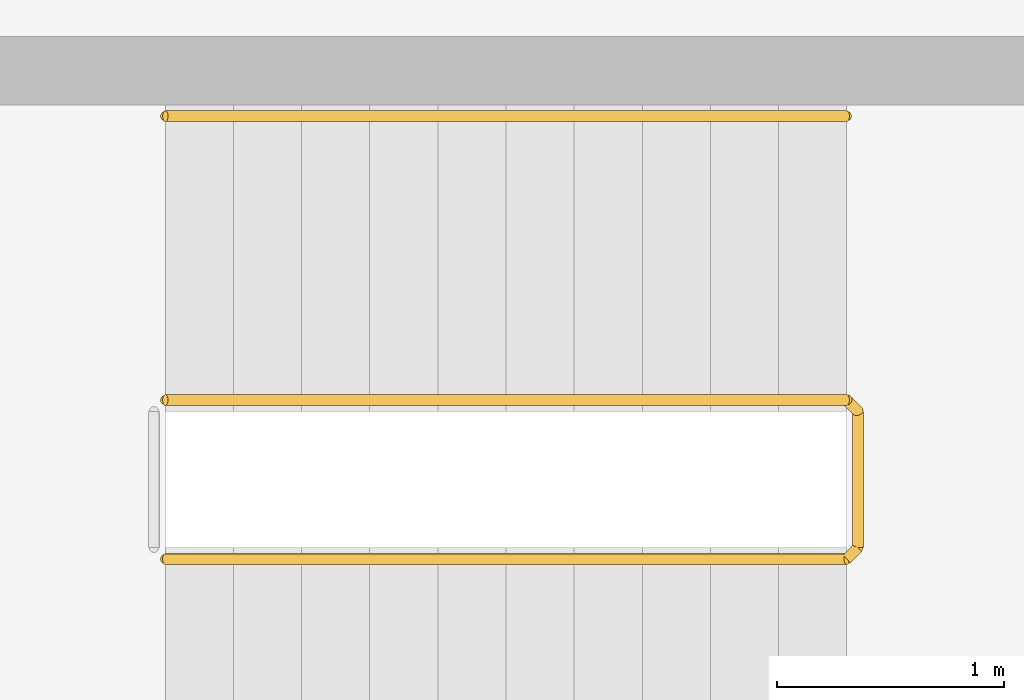
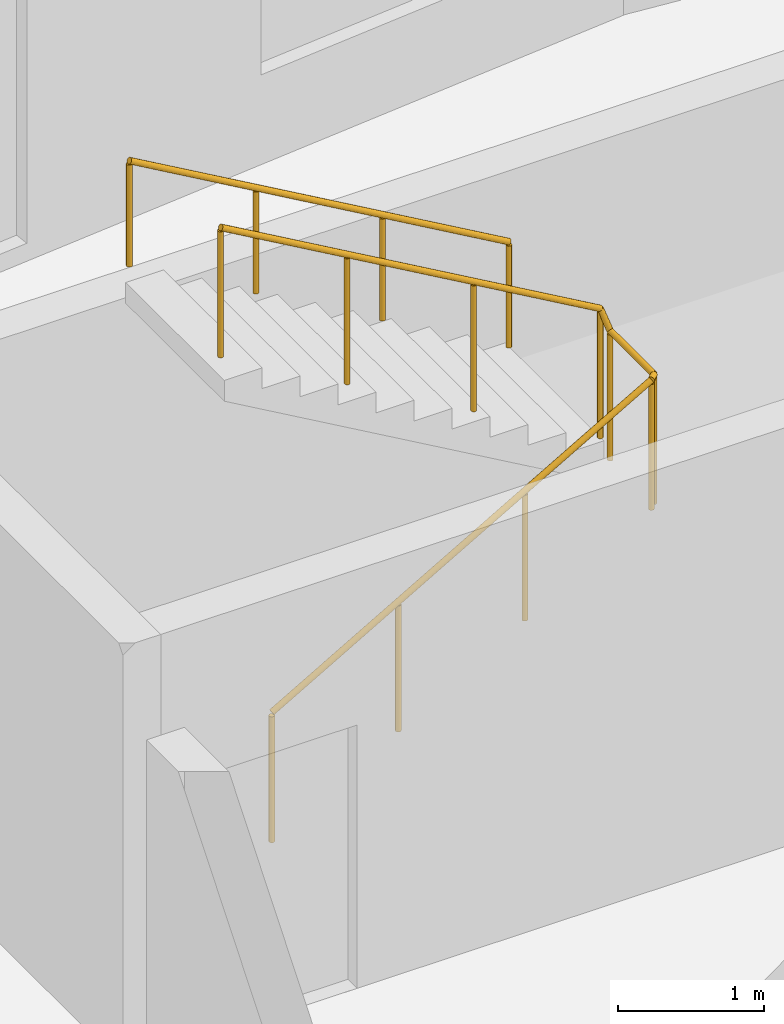
# One storey, part 11 of 11: 2 railings.
"""IFC4 building model written with IfcOpenShell, lengths in metres."""

from ifc_helpers import new_model, si_unit, direction, frame, origin, origin_2d, place, context, subcontext, project, spatial, circle, extrude, material, type_object, element, save


model = new_model("IFC4")

# Units and contexts
model_context = context("Model", 3, precision=1e-05, world=origin(), true_north=direction((0.0, 1.0)))
body_context = subcontext(model_context, "Body", "Model", "MODEL_VIEW")
ifc_project = project(units=[si_unit("LENGTHUNIT", "METRE"), si_unit("AREAUNIT", "SQUARE_METRE"), si_unit("VOLUMEUNIT", "CUBIC_METRE"), si_unit("PLANEANGLEUNIT", "RADIAN"), si_unit("MASSUNIT", "GRAM", prefix="KILO")], contexts=[model_context])

# Site, building, storey
site_placement = place(None, origin())
site = spatial("IfcSite", under=ifc_project, at=site_placement, CompositionType="ELEMENT")
building_placement = place(site_placement, origin())
building = spatial("IfcBuilding", under=site, at=building_placement, Name="Brondeck Convention Tower", CompositionType="ELEMENT")
storey_placement = place(building_placement, frame((0.0, 0.0, 111.300048828125)))
storey = spatial("IfcBuildingStorey", under=building, at=storey_placement, Name="L26", CompositionType="ELEMENT", Elevation=111.300048828125)

# Railings
ifc_material = material(Name="Steel S355", Category="steel")
railing_type_1 = type_object("IfcRailingType", Name="Stair guard 1100", PredefinedType="GUARDRAIL", material=ifc_material)
railing_1_placement = place(storey_placement, frame((37.85009765625, 55.449951171875, 0.172607421875)))
element("IfcRailing", 1, at=railing_1_placement, inside=storey, type_object=railing_type_1, Name="L26 ST-AE stair guard 1", PredefinedType="GUARDRAIL", context=body_context, shape_type="SweptSolid", body=[
    extrude(circle(Radius=0.02392578125, at=origin_2d()), frame((0.0, 0.0, 1.076171875), z_axis=(0.866619684472, 0.0, 0.498969260062), x_axis=(0.0, 1.0, 0.0)), (0.0, 0.0, 1.0), 3.461669921875),
    extrude(circle(Radius=0.02392578125, at=origin_2d()), frame((3.0, 0.0, 2.80322265625), z_axis=(0.705375805398, 0.708833529934, 0.0), x_axis=(-0.708833529934, 0.705375805398, 0.0)), (0.0, 0.0, 1.0), 0.070556640625),
    extrude(circle(Radius=0.02392578125, at=origin_2d()), frame((3.0498046875, 0.050048828125, 2.80322265625), z_axis=(0.0, 1.0, 0.0), x_axis=(-1.0, 0.0, 0.0)), (0.0, 0.0, 1.0), 0.60009765625),
    extrude(circle(Radius=0.02392578125, at=origin_2d()), frame((3.0498046875, 0.650146484375, 2.80322265625), z_axis=(-0.266832911964, 0.266832911964, 0.926067165051), x_axis=(-0.707106781187, -0.707106781187, 0.0)), (0.0, 0.0, 1.0), 0.186767578125),
    extrude(circle(Radius=0.02392578125, at=origin_2d()), frame((3.0, 0.699951171875, 2.97607421875), z_axis=(-0.866619684472, 0.0, 0.498969260062), x_axis=(0.0, -1.0, 0.0)), (0.0, 0.0, 1.0), 3.461669921875),
    extrude(circle(Radius=0.02099609375, at=origin_2d()), origin(), (0.0, 0.0, 1.0), 1.052001953125),
    extrude(circle(Radius=0.02099609375, at=origin_2d()), frame((1.0, 0.0, 0.57568359375)), (0.0, 0.0, 1.0), 1.052001953125),
    extrude(circle(Radius=0.02099609375, at=origin_2d()), frame((2.0, 0.0, 1.151611328125)), (0.0, 0.0, 1.0), 1.052001953125),
    extrude(circle(Radius=0.02099609375, at=origin_2d()), frame((3.0, 0.0, 1.727294921875)), (0.0, 0.0, 1.0), 1.052001953125),
    extrude(circle(Radius=0.02099609375, at=origin_2d()), frame((3.0498046875, 0.050048828125, 1.727294921875)), (0.0, 0.0, 1.0), 1.052001953125),
    extrude(circle(Radius=0.02099609375, at=origin_2d()), frame((3.0498046875, 0.650146484375, 1.727294921875)), (0.0, 0.0, 1.0), 1.052001953125),
    extrude(circle(Radius=0.02099609375, at=origin_2d()), frame((3.0, 0.699951171875, 1.900146484375)), (0.0, 0.0, 1.0), 1.052001953125),
    extrude(circle(Radius=0.02099609375, at=origin_2d()), frame((2.0, 0.699951171875, 2.475830078125)), (0.0, 0.0, 1.0), 1.052001953125),
    extrude(circle(Radius=0.02099609375, at=origin_2d()), frame((1.0, 0.699951171875, 3.0517578125)), (0.0, 0.0, 1.0), 1.052001953125),
    extrude(circle(Radius=0.02099609375, at=origin_2d()), frame((0.0, 0.699951171875, 3.62744140625)), (0.0, 0.0, 1.0), 1.052001953125),
])
railing_type_2 = type_object("IfcRailingType", Name="Stair handrail", PredefinedType="HANDRAIL", material=ifc_material)
railing_2_placement = place(storey_placement, frame((40.85009765625, 57.39990234375, 2.07275390625)))
element("IfcRailing", 2, at=railing_2_placement, inside=storey, type_object=railing_type_2, Name="L26 ST-AE stair handrail 2", PredefinedType="HANDRAIL", context=body_context, shape_type="SweptSolid", body=[
    extrude(circle(Radius=0.02392578125, at=origin_2d()), frame((0.0, 0.0, 0.8759765625), z_axis=(-0.866619684472, 0.0, 0.498969260062), x_axis=(0.0, -1.0, 0.0)), (0.0, 0.0, 1.0), 3.461669921875),
    extrude(circle(Radius=0.02099609375, at=origin_2d()), origin(), (0.0, 0.0, 1.0), 0.851806640625),
    extrude(circle(Radius=0.02099609375, at=origin_2d()), frame((-1.0, 0.0, 0.57568359375)), (0.0, 0.0, 1.0), 0.851806640625),
    extrude(circle(Radius=0.02099609375, at=origin_2d()), frame((-2.0, 0.0, 1.151611328125)), (0.0, 0.0, 1.0), 0.851806640625),
    extrude(circle(Radius=0.02099609375, at=origin_2d()), frame((-3.0, 0.0, 1.727294921875)), (0.0, 0.0, 1.0), 0.851806640625),
])

save(model, "model.ifc")
